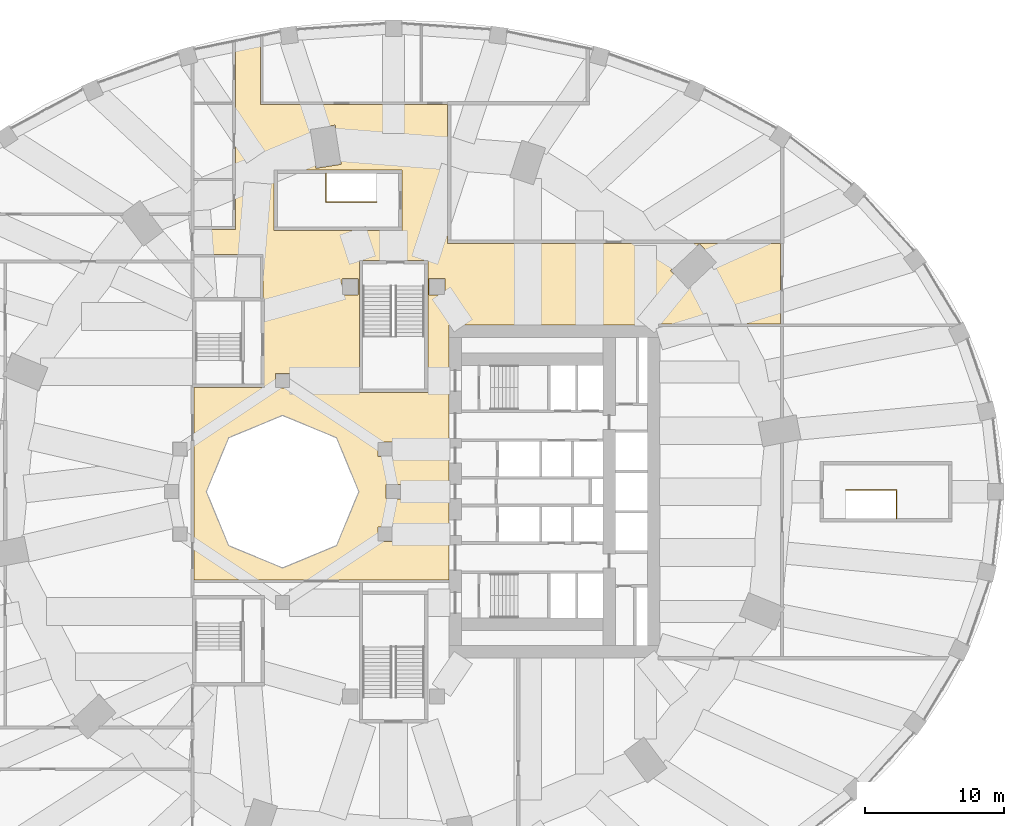
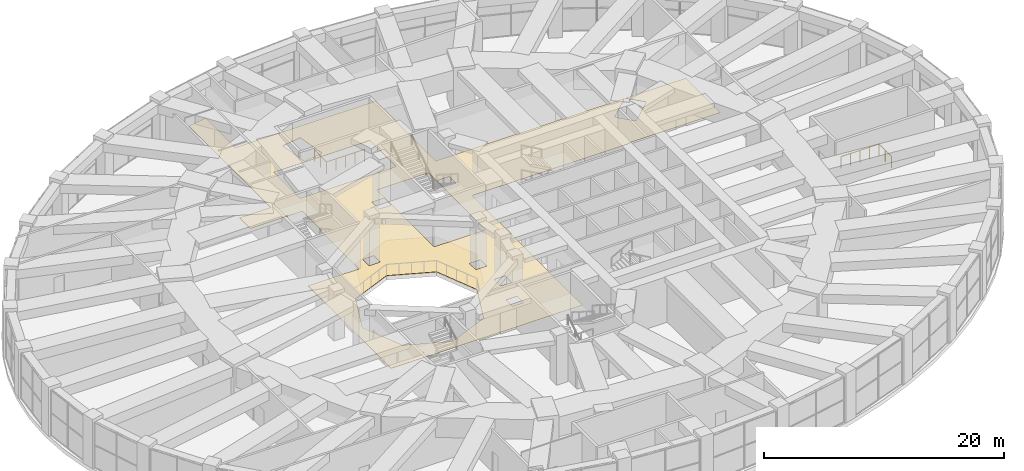
# One storey, part 30 of 30: 2 railings, 1 covering.
"""IFC4 building model written with IfcOpenShell, lengths in metres."""

from ifc_helpers import new_model, si_unit, direction, frame, origin, origin_2d, place, context, subcontext, project, spatial, polyline, circle, outline, extrude, material, layer, layer_set, type_object, element, save


model = new_model("IFC4")

# Units and contexts
model_context = context("Model", 3, precision=1e-05, world=origin(), true_north=direction((0.0, 1.0)))
body_context = subcontext(model_context, "Body", "Model", "MODEL_VIEW")
ifc_project = project(units=[si_unit("LENGTHUNIT", "METRE"), si_unit("AREAUNIT", "SQUARE_METRE"), si_unit("VOLUMEUNIT", "CUBIC_METRE"), si_unit("PLANEANGLEUNIT", "RADIAN"), si_unit("MASSUNIT", "GRAM", prefix="KILO")], contexts=[model_context])

# Site, building, storey
site_placement = place(None, origin())
site = spatial("IfcSite", under=ifc_project, at=site_placement, CompositionType="ELEMENT")
building_placement = place(site_placement, origin())
building = spatial("IfcBuilding", under=site, at=building_placement, Name="Taillehof Tower", CompositionType="ELEMENT")
storey_placement = place(building_placement, frame((0.0, 0.0, 12.5)))
storey = spatial("IfcBuildingStorey", under=building, at=storey_placement, Name="L02", CompositionType="ELEMENT", Elevation=12.5)

# Covering
ifc_material_1 = material(Name="Terrazzo floor finish")
ifc_layer = layer(ifc_material_1, 0.030029296875)
ifc_layer_set = layer_set([ifc_layer], Name="Floor finish 30 mm")
covering_type = type_object("IfcCoveringType", Name="Floor finish 30 mm", PredefinedType="FLOORING", material=ifc_layer_set)
covering_placement = place(storey_placement, origin())
element("IfcCovering", 1, at=covering_placement, inside=storey, type_object=covering_type, Name="Floor finish L02-26", PredefinedType="FLOORING", context=body_context, shape_type="SweptSolid", body=[
    extrude(outline(polyline([(4.0, -6.35009765625), (-14.39990234375, -6.35009765625), (-14.39990234375, 7.5), (-9.5, 7.5), (-9.5, 13.89990234375), (-9.39990234375, 13.89990234375), (-9.39990234375, 16.89990234375), (-9.39990234375, 17.10009765625), (-14.39990234375, 17.10009765625), (-14.39990234375, 18.89990234375), (-11.39990234375, 18.89990234375), (-11.39990234375, 19.10009765625), (-11.39990234375, 22.60009765625), (-11.39990234375, 27.89990234375), (-11.39990234375, 32.530029296875), (-11.3046875, 32.552978515625), (-9.60009765625, 32.84423828125), (-9.60009765625, 28.10009765625), (-9.60009765625, 27.89990234375), (2.10009765625, 27.89990234375), (3.875, 27.89990234375), (3.875, 27.875), (3.875, 18.125), (3.875, 17.875), (27.875, 17.875), (27.89990234375, 17.875), (27.89990234375, 12.10009765625), (19.10009765625, 12.10009765625), (19.10009765625, 12.0), (4.0, 12.0), (4.0, -6.35009765625)]), holes=[polyline([(-13.5, 0.0), (-11.88916015625, -3.88916015625), (-8.0, -5.5), (-4.11083984375, -3.88916015625), (-2.5, 0.0), (-4.11083984375, 3.88916015625), (-8.0, 5.5), (-11.88916015625, 3.88916015625), (-13.5, 0.0)]), polyline([(2.47509765625, 16.419921875), (2.47509765625, 16.669921875), (-2.22509765625, 16.669921875), (-2.47509765625, 16.669921875), (-2.47509765625, 7.39990234375), (-2.47509765625, 7.14990234375), (2.47509765625, 7.14990234375), (2.47509765625, 7.39990234375), (2.47509765625, 16.419921875)]), polyline([(-8.610107421875, 18.824951171875), (0.610107421875, 18.824951171875), (0.610107421875, 19.074951171875), (0.610107421875, 19.074951171875), (0.610107421875, 22.925048828125), (0.610107421875, 22.925048828125), (0.610107421875, 23.175048828125), (-8.360107421875, 23.175048828125), (-8.610107421875, 23.175048828125), (-8.610107421875, 19.074951171875), (-8.610107421875, 18.824951171875)]), polyline([(-1.123046875, -3.587890625), (-1.120361328125, -3.589111328125), (-1.11767578125, -3.590087890625), (-1.11474609375, -3.5908203125), (-1.11181640625, -3.59130859375), (-1.10888671875, -3.591552734375), (-0.10888671875, -3.591552734375), (-0.10595703125, -3.59130859375), (-0.10302734375, -3.5908203125), (-0.100341796875, -3.590087890625), (-0.097412109375, -3.589111328125), (-0.0947265625, -3.587890625), (-0.09228515625, -3.58642578125), (-0.08984375, -3.584716796875), (-0.087646484375, -3.582763671875), (-0.085693359375, -3.58056640625), (-0.083984375, -3.578125), (-0.08251953125, -3.57568359375), (-0.081298828125, -3.572998046875), (-0.080322265625, -3.570068359375), (-0.07958984375, -3.5673828125), (-0.0791015625, -3.564453125), (-0.078857421875, -3.5615234375), (-0.078857421875, -2.5615234375), (-0.0791015625, -2.55859375), (-0.07958984375, -2.5556640625), (-0.080322265625, -2.552734375), (-0.081298828125, -2.550048828125), (-0.08251953125, -2.54736328125), (-0.083984375, -2.544921875), (-0.085693359375, -2.54248046875), (-0.087646484375, -2.540283203125), (-0.08984375, -2.538330078125), (-0.09228515625, -2.53662109375), (-0.0947265625, -2.534912109375), (-0.097412109375, -2.53369140625), (-0.100341796875, -2.53271484375), (-0.10302734375, -2.531982421875), (-0.10595703125, -2.531494140625), (-0.10888671875, -2.531494140625), (-1.10888671875, -2.531494140625), (-1.11181640625, -2.531494140625), (-1.11474609375, -2.531982421875), (-1.11767578125, -2.53271484375), (-1.120361328125, -2.53369140625), (-1.123046875, -2.534912109375), (-1.125732421875, -2.53662109375), (-1.1279296875, -2.538330078125), (-1.130126953125, -2.540283203125), (-1.132080078125, -2.54248046875), (-1.1337890625, -2.544921875), (-1.135498046875, -2.54736328125), (-1.13671875, -2.550048828125), (-1.1376953125, -2.552734375), (-1.138427734375, -2.5556640625), (-1.138916015625, -2.55859375), (-1.138916015625, -2.5615234375), (-1.138916015625, -3.5615234375), (-1.138916015625, -3.564453125), (-1.138427734375, -3.5673828125), (-1.1376953125, -3.570068359375), (-1.13671875, -3.572998046875), (-1.135498046875, -3.57568359375), (-1.1337890625, -3.578125), (-1.132080078125, -3.58056640625), (-1.130126953125, -3.582763671875), (-1.1279296875, -3.584716796875), (-1.125732421875, -3.58642578125), (-1.123046875, -3.587890625)]), polyline([(-0.511474609375, -0.52783203125), (-0.5087890625, -0.52880859375), (-0.505859375, -0.529541015625), (-0.5029296875, -0.52978515625), (-0.5, -0.530029296875), (0.5, -0.530029296875), (0.5029296875, -0.52978515625), (0.505859375, -0.529541015625), (0.5087890625, -0.52880859375), (0.511474609375, -0.52783203125), (0.51416015625, -0.5263671875), (0.5166015625, -0.52490234375), (0.51904296875, -0.523193359375), (0.521240234375, -0.521240234375), (0.523193359375, -0.51904296875), (0.52490234375, -0.5166015625), (0.5263671875, -0.51416015625), (0.52783203125, -0.511474609375), (0.52880859375, -0.5087890625), (0.529541015625, -0.505859375), (0.52978515625, -0.5029296875), (0.530029296875, -0.5), (0.530029296875, 0.5), (0.52978515625, 0.5029296875), (0.529541015625, 0.505859375), (0.52880859375, 0.5087890625), (0.52783203125, 0.511474609375), (0.5263671875, 0.51416015625), (0.52490234375, 0.5166015625), (0.523193359375, 0.51904296875), (0.521240234375, 0.521240234375), (0.51904296875, 0.523193359375), (0.5166015625, 0.52490234375), (0.51416015625, 0.5263671875), (0.511474609375, 0.52783203125), (0.5087890625, 0.52880859375), (0.505859375, 0.529541015625), (0.5029296875, 0.52978515625), (0.5, 0.530029296875), (-0.5, 0.530029296875), (-0.5029296875, 0.52978515625), (-0.505859375, 0.529541015625), (-0.5087890625, 0.52880859375), (-0.511474609375, 0.52783203125), (-0.51416015625, 0.5263671875), (-0.5166015625, 0.52490234375), (-0.51904296875, 0.523193359375), (-0.521240234375, 0.521240234375), (-0.523193359375, 0.51904296875), (-0.52490234375, 0.5166015625), (-0.5263671875, 0.51416015625), (-0.52783203125, 0.511474609375), (-0.52880859375, 0.5087890625), (-0.529541015625, 0.505859375), (-0.52978515625, 0.5029296875), (-0.530029296875, 0.5), (-0.530029296875, -0.5), (-0.52978515625, -0.5029296875), (-0.529541015625, -0.505859375), (-0.52880859375, -0.5087890625), (-0.52783203125, -0.511474609375), (-0.5263671875, -0.51416015625), (-0.52490234375, -0.5166015625), (-0.523193359375, -0.51904296875), (-0.521240234375, -0.521240234375), (-0.51904296875, -0.523193359375), (-0.5166015625, -0.52490234375), (-0.51416015625, -0.5263671875), (-0.511474609375, -0.52783203125)]), polyline([(-1.120361328125, 2.53369140625), (-1.11767578125, 2.53271484375), (-1.11474609375, 2.531982421875), (-1.11181640625, 2.531494140625), (-1.10888671875, 2.531494140625), (-0.10888671875, 2.531494140625), (-0.10595703125, 2.531494140625), (-0.10302734375, 2.531982421875), (-0.100341796875, 2.53271484375), (-0.097412109375, 2.53369140625), (-0.0947265625, 2.534912109375), (-0.09228515625, 2.53662109375), (-0.08984375, 2.538330078125), (-0.087646484375, 2.540283203125), (-0.085693359375, 2.54248046875), (-0.083984375, 2.544921875), (-0.08251953125, 2.54736328125), (-0.081298828125, 2.550048828125), (-0.080322265625, 2.552734375), (-0.07958984375, 2.5556640625), (-0.0791015625, 2.55859375), (-0.078857421875, 2.5615234375), (-0.078857421875, 3.5615234375), (-0.0791015625, 3.564453125), (-0.07958984375, 3.5673828125), (-0.080322265625, 3.570068359375), (-0.081298828125, 3.572998046875), (-0.08251953125, 3.57568359375), (-0.083984375, 3.578125), (-0.085693359375, 3.58056640625), (-0.087646484375, 3.582763671875), (-0.08984375, 3.584716796875), (-0.09228515625, 3.58642578125), (-0.0947265625, 3.587890625), (-0.097412109375, 3.589111328125), (-0.100341796875, 3.590087890625), (-0.10302734375, 3.5908203125), (-0.10595703125, 3.59130859375), (-0.10888671875, 3.591552734375), (-1.10888671875, 3.591552734375), (-1.11181640625, 3.59130859375), (-1.11474609375, 3.5908203125), (-1.11767578125, 3.590087890625), (-1.120361328125, 3.589111328125), (-1.123046875, 3.587890625), (-1.125732421875, 3.58642578125), (-1.1279296875, 3.584716796875), (-1.130126953125, 3.582763671875), (-1.132080078125, 3.58056640625), (-1.1337890625, 3.578125), (-1.135498046875, 3.57568359375), (-1.13671875, 3.572998046875), (-1.1376953125, 3.570068359375), (-1.138427734375, 3.5673828125), (-1.138916015625, 3.564453125), (-1.138916015625, 3.5615234375), (-1.138916015625, 2.5615234375), (-1.138916015625, 2.55859375), (-1.138427734375, 2.5556640625), (-1.1376953125, 2.552734375), (-1.13671875, 2.550048828125), (-1.135498046875, 2.54736328125), (-1.1337890625, 2.544921875), (-1.132080078125, 2.54248046875), (-1.130126953125, 2.540283203125), (-1.1279296875, 2.538330078125), (-1.125732421875, 2.53662109375), (-1.123046875, 2.534912109375), (-1.120361328125, 2.53369140625)]), polyline([(-8.511474609375, 7.47216796875), (-8.5087890625, 7.47119140625), (-8.505859375, 7.470458984375), (-8.5029296875, 7.47021484375), (-8.5, 7.469970703125), (-7.5, 7.469970703125), (-7.4970703125, 7.47021484375), (-7.494140625, 7.470458984375), (-7.4912109375, 7.47119140625), (-7.488525390625, 7.47216796875), (-7.48583984375, 7.4736328125), (-7.4833984375, 7.47509765625), (-7.48095703125, 7.476806640625), (-7.478759765625, 7.478759765625), (-7.476806640625, 7.48095703125), (-7.47509765625, 7.4833984375), (-7.4736328125, 7.48583984375), (-7.47216796875, 7.488525390625), (-7.47119140625, 7.4912109375), (-7.470458984375, 7.494140625), (-7.47021484375, 7.4970703125), (-7.469970703125, 7.5), (-7.469970703125, 8.5), (-7.47021484375, 8.5029296875), (-7.470458984375, 8.505859375), (-7.47119140625, 8.5087890625), (-7.47216796875, 8.511474609375), (-7.4736328125, 8.51416015625), (-7.47509765625, 8.5166015625), (-7.476806640625, 8.51904296875), (-7.478759765625, 8.521240234375), (-7.48095703125, 8.523193359375), (-7.4833984375, 8.52490234375), (-7.48583984375, 8.5263671875), (-7.488525390625, 8.52783203125), (-7.4912109375, 8.52880859375), (-7.494140625, 8.529541015625), (-7.4970703125, 8.52978515625), (-7.5, 8.530029296875), (-8.5, 8.530029296875), (-8.5029296875, 8.52978515625), (-8.505859375, 8.529541015625), (-8.5087890625, 8.52880859375), (-8.511474609375, 8.52783203125), (-8.51416015625, 8.5263671875), (-8.5166015625, 8.52490234375), (-8.51904296875, 8.523193359375), (-8.521240234375, 8.521240234375), (-8.523193359375, 8.51904296875), (-8.52490234375, 8.5166015625), (-8.5263671875, 8.51416015625), (-8.52783203125, 8.511474609375), (-8.52880859375, 8.5087890625), (-8.529541015625, 8.505859375), (-8.52978515625, 8.5029296875), (-8.530029296875, 8.5), (-8.530029296875, 7.5), (-8.52978515625, 7.4970703125), (-8.529541015625, 7.494140625), (-8.52880859375, 7.4912109375), (-8.52783203125, 7.488525390625), (-8.5263671875, 7.48583984375), (-8.52490234375, 7.4833984375), (-8.523193359375, 7.48095703125), (-8.521240234375, 7.478759765625), (-8.51904296875, 7.476806640625), (-8.5166015625, 7.47509765625), (-8.51416015625, 7.4736328125), (-8.511474609375, 7.47216796875)]), polyline([(-3.687255859375, 14.1943359375), (-3.684326171875, 14.193359375), (-3.681640625, 14.192626953125), (-3.6787109375, 14.1923828125), (-3.67578125, 14.192138671875), (-2.57568359375, 14.192138671875), (-2.57275390625, 14.1923828125), (-2.56982421875, 14.192626953125), (-2.56689453125, 14.193359375), (-2.564208984375, 14.1943359375), (-2.5615234375, 14.195556640625), (-2.55908203125, 14.197265625), (-2.556640625, 14.198974609375), (-2.554443359375, 14.200927734375), (-2.552490234375, 14.203125), (-2.55078125, 14.20556640625), (-2.54931640625, 14.2080078125), (-2.5478515625, 14.210693359375), (-2.546875, 14.21337890625), (-2.546142578125, 14.21630859375), (-2.5458984375, 14.21923828125), (-2.545654296875, 14.22216796875), (-2.545654296875, 15.322021484375), (-2.5458984375, 15.324951171875), (-2.546142578125, 15.327880859375), (-2.546875, 15.330810546875), (-2.5478515625, 15.33349609375), (-2.54931640625, 15.336181640625), (-2.55078125, 15.3388671875), (-2.552490234375, 15.341064453125), (-2.554443359375, 15.34326171875), (-2.556640625, 15.34521484375), (-2.55908203125, 15.34716796875), (-2.5615234375, 15.3486328125), (-2.564208984375, 15.349853515625), (-2.56689453125, 15.350830078125), (-2.56982421875, 15.3515625), (-2.57275390625, 15.35205078125), (-2.57568359375, 15.35205078125), (-3.67578125, 15.35205078125), (-3.6787109375, 15.35205078125), (-3.681640625, 15.3515625), (-3.684326171875, 15.350830078125), (-3.687255859375, 15.349853515625), (-3.689697265625, 15.3486328125), (-3.6923828125, 15.34716796875), (-3.694580078125, 15.34521484375), (-3.69677734375, 15.34326171875), (-3.698974609375, 15.341064453125), (-3.70068359375, 15.3388671875), (-3.7021484375, 15.336181640625), (-3.703369140625, 15.33349609375), (-3.704345703125, 15.330810546875), (-3.705078125, 15.327880859375), (-3.70556640625, 15.324951171875), (-3.70556640625, 15.322021484375), (-3.70556640625, 14.22216796875), (-3.70556640625, 14.21923828125), (-3.705078125, 14.21630859375), (-3.704345703125, 14.21337890625), (-3.703369140625, 14.210693359375), (-3.7021484375, 14.2080078125), (-3.70068359375, 14.20556640625), (-3.698974609375, 14.203125), (-3.69677734375, 14.200927734375), (-3.694580078125, 14.198974609375), (-3.6923828125, 14.197265625), (-3.689697265625, 14.195556640625), (-3.687255859375, 14.1943359375)]), polyline([(2.564208984375, 14.1943359375), (2.56689453125, 14.193359375), (2.56982421875, 14.192626953125), (2.57275390625, 14.1923828125), (2.57568359375, 14.192138671875), (3.67578125, 14.192138671875), (3.6787109375, 14.1923828125), (3.681640625, 14.192626953125), (3.684326171875, 14.193359375), (3.687255859375, 14.1943359375), (3.689697265625, 14.195556640625), (3.6923828125, 14.197265625), (3.694580078125, 14.198974609375), (3.69677734375, 14.200927734375), (3.698974609375, 14.203125), (3.70068359375, 14.20556640625), (3.7021484375, 14.2080078125), (3.703369140625, 14.210693359375), (3.704345703125, 14.21337890625), (3.705078125, 14.21630859375), (3.70556640625, 14.21923828125), (3.70556640625, 14.22216796875), (3.70556640625, 15.322021484375), (3.70556640625, 15.324951171875), (3.705078125, 15.327880859375), (3.704345703125, 15.330810546875), (3.703369140625, 15.33349609375), (3.7021484375, 15.336181640625), (3.70068359375, 15.3388671875), (3.698974609375, 15.341064453125), (3.69677734375, 15.34326171875), (3.694580078125, 15.34521484375), (3.6923828125, 15.34716796875), (3.689697265625, 15.3486328125), (3.687255859375, 15.349853515625), (3.684326171875, 15.350830078125), (3.681640625, 15.3515625), (3.6787109375, 15.35205078125), (3.67578125, 15.35205078125), (2.57568359375, 15.35205078125), (2.57275390625, 15.35205078125), (2.56982421875, 15.3515625), (2.56689453125, 15.350830078125), (2.564208984375, 15.349853515625), (2.5615234375, 15.3486328125), (2.55908203125, 15.34716796875), (2.556640625, 15.34521484375), (2.554443359375, 15.34326171875), (2.552490234375, 15.341064453125), (2.55078125, 15.3388671875), (2.54931640625, 15.336181640625), (2.5478515625, 15.33349609375), (2.546875, 15.330810546875), (2.546142578125, 15.327880859375), (2.5458984375, 15.324951171875), (2.545654296875, 15.322021484375), (2.545654296875, 14.22216796875), (2.5458984375, 14.21923828125), (2.546142578125, 14.21630859375), (2.546875, 14.21337890625), (2.5478515625, 14.210693359375), (2.54931640625, 14.2080078125), (2.55078125, 14.20556640625), (2.552490234375, 14.203125), (2.554443359375, 14.200927734375), (2.556640625, 14.198974609375), (2.55908203125, 14.197265625), (2.5615234375, 14.195556640625), (2.564208984375, 14.1943359375)]), polyline([(-3.768798828125, 23.6171875), (-3.768310546875, 23.619873046875), (-3.76806640625, 23.622802734375), (-3.76806640625, 23.6259765625), (-3.768310546875, 23.62890625), (-4.20556640625, 26.39453125), (-4.2060546875, 26.397216796875), (-4.20703125, 26.400146484375), (-4.208251953125, 26.40283203125), (-4.209716796875, 26.405517578125), (-4.211181640625, 26.407958984375), (-4.213134765625, 26.41015625), (-4.21533203125, 26.412109375), (-4.217529296875, 26.4140625), (-4.219970703125, 26.41552734375), (-4.22265625, 26.4169921875), (-4.225341796875, 26.418212890625), (-4.228271484375, 26.4189453125), (-4.231201171875, 26.41943359375), (-4.234130859375, 26.419677734375), (-4.237060546875, 26.419677734375), (-4.239990234375, 26.41943359375), (-6.017822265625, 26.138427734375), (-6.020751953125, 26.1376953125), (-6.0234375, 26.13671875), (-6.026123046875, 26.1357421875), (-6.02880859375, 26.13427734375), (-6.03125, 26.132568359375), (-6.033447265625, 26.130615234375), (-6.03564453125, 26.128662109375), (-6.037353515625, 26.126220703125), (-6.0390625, 26.123779296875), (-6.040283203125, 26.121337890625), (-6.04150390625, 26.118408203125), (-6.042236328125, 26.11572265625), (-6.042724609375, 26.11279296875), (-6.043212890625, 26.10986328125), (-6.04296875, 26.10693359375), (-6.042724609375, 26.10400390625), (-5.60546875, 23.33837890625), (-5.60498046875, 23.33544921875), (-5.60400390625, 23.332763671875), (-5.60302734375, 23.329833984375), (-5.6015625, 23.327392578125), (-5.599853515625, 23.324951171875), (-5.597900390625, 23.32275390625), (-5.595947265625, 23.320556640625), (-5.593505859375, 23.31884765625), (-5.591064453125, 23.317138671875), (-5.58837890625, 23.315673828125), (-5.585693359375, 23.314697265625), (-5.5830078125, 23.31396484375), (-5.580078125, 23.313232421875), (-5.5771484375, 23.31298828125), (-5.57421875, 23.31298828125), (-5.5712890625, 23.3134765625), (-3.793212890625, 23.594482421875), (-3.79052734375, 23.594970703125), (-3.78759765625, 23.595947265625), (-3.784912109375, 23.59716796875), (-3.7822265625, 23.5986328125), (-3.77978515625, 23.60009765625), (-3.777587890625, 23.60205078125), (-3.775634765625, 23.604248046875), (-3.773681640625, 23.6064453125), (-3.772216796875, 23.60888671875), (-3.770751953125, 23.611572265625), (-3.76953125, 23.6142578125), (-3.768798828125, 23.6171875)]), polyline([(21.244140625, 14.588623046875), (21.246826171875, 14.589599609375), (21.24951171875, 14.591064453125), (21.251953125, 14.5927734375), (21.254150390625, 14.5947265625), (23.29833984375, 16.508056640625), (23.300537109375, 16.51025390625), (23.30224609375, 16.512451171875), (23.303955078125, 16.514892578125), (23.30517578125, 16.517578125), (23.306396484375, 16.520263671875), (23.30712890625, 16.523193359375), (23.3076171875, 16.526123046875), (23.307861328125, 16.529052734375), (23.307861328125, 16.531982421875), (23.3076171875, 16.534912109375), (23.306884765625, 16.53759765625), (23.305908203125, 16.54052734375), (23.304931640625, 16.543212890625), (23.303466796875, 16.545654296875), (23.3017578125, 16.548095703125), (23.2998046875, 16.550537109375), (22.06982421875, 17.86474609375), (22.067626953125, 17.86669921875), (22.0654296875, 17.868408203125), (22.06298828125, 17.8701171875), (22.060302734375, 17.87158203125), (22.0576171875, 17.87255859375), (22.0546875, 17.873291015625), (22.0517578125, 17.873779296875), (22.048828125, 17.8740234375), (22.0458984375, 17.8740234375), (22.04296875, 17.873779296875), (22.040283203125, 17.873046875), (22.037353515625, 17.872314453125), (22.03466796875, 17.87109375), (22.031982421875, 17.86962890625), (22.02978515625, 17.867919921875), (22.02734375, 17.865966796875), (19.983154296875, 15.95263671875), (19.98095703125, 15.95068359375), (19.979248046875, 15.9482421875), (19.9775390625, 15.94580078125), (19.976318359375, 15.943115234375), (19.97509765625, 15.9404296875), (19.974365234375, 15.937744140625), (19.973876953125, 15.934814453125), (19.9736328125, 15.931884765625), (19.9736328125, 15.928955078125), (19.97412109375, 15.926025390625), (19.974609375, 15.923095703125), (19.9755859375, 15.920166015625), (19.976806640625, 15.91748046875), (19.97802734375, 15.9150390625), (19.979736328125, 15.91259765625), (19.981689453125, 15.910400390625), (21.211669921875, 14.59619140625), (21.2138671875, 14.593994140625), (21.216064453125, 14.59228515625), (21.218505859375, 14.590576171875), (21.22119140625, 14.58935546875), (21.223876953125, 14.588134765625), (21.226806640625, 14.58740234375), (21.229736328125, 14.5869140625), (21.232666015625, 14.586669921875), (21.235595703125, 14.586669921875), (21.238525390625, 14.5869140625), (21.241455078125, 14.587646484375), (21.244140625, 14.588623046875)])]), origin(), (0.0, 0.0, 1.0), 0.030029296875),
])

# Railings
ifc_material_2 = material(Name="Stainless steel and laminated glass", Category="steel")
railing_type = type_object("IfcRailingType", Name="Guard 1200 mm", PredefinedType="GUARDRAIL", material=ifc_material_2)
railing_1_placement = place(storey_placement, frame((-1.239990234375, 20.875, 0.0)))
element("IfcRailing", 2, at=railing_1_placement, inside=storey, type_object=railing_type, Name="Guard P3", PredefinedType="GUARDRAIL", context=body_context, shape_type="SweptSolid", body=[
    extrude(circle(Radius=0.02392578125, at=origin_2d()), frame((0.0, 0.0, 1.17578125), z_axis=(-1.0, 0.0, 0.0), x_axis=(0.0, -1.0, 0.0)), (0.0, 0.0, 1.0), 3.639892578125),
    extrude(circle(Radius=0.02392578125, at=origin_2d()), frame((-3.639892578125, 0.0, 1.17578125), z_axis=(0.0, 1.0, 0.0), x_axis=(-1.0, 0.0, 0.0)), (0.0, 0.0, 1.0), 2.050048828125),
    extrude(circle(Radius=0.02099609375, at=origin_2d()), origin(), (0.0, 0.0, 1.0), 1.15185546875),
    extrude(circle(Radius=0.02099609375, at=origin_2d()), frame((-0.909912109375, 0.0, 0.0)), (0.0, 0.0, 1.0), 1.15185546875),
    extrude(circle(Radius=0.02099609375, at=origin_2d()), frame((-1.81982421875, 0.0, 0.0)), (0.0, 0.0, 1.0), 1.15185546875),
    extrude(circle(Radius=0.02099609375, at=origin_2d()), frame((-2.72998046875, 0.0, 0.0)), (0.0, 0.0, 1.0), 1.15185546875),
    extrude(circle(Radius=0.02099609375, at=origin_2d()), frame((-3.639892578125, 0.0, 0.0)), (0.0, 0.0, 1.0), 1.15185546875),
    extrude(circle(Radius=0.02099609375, at=origin_2d()), frame((-3.639892578125, 1.02490234375, 0.0)), (0.0, 0.0, 1.0), 1.15185546875),
    extrude(circle(Radius=0.02099609375, at=origin_2d()), frame((-3.639892578125, 2.050048828125, 0.0)), (0.0, 0.0, 1.0), 1.15185546875),
])
railing_2_placement = place(storey_placement, frame((32.60009765625, 0.125, 0.0)))
element("IfcRailing", 3, at=railing_2_placement, inside=storey, type_object=railing_type, Name="Guard P5", PredefinedType="GUARDRAIL", context=body_context, shape_type="SweptSolid", body=[
    extrude(circle(Radius=0.02392578125, at=origin_2d()), frame((0.0, 0.0, 1.17578125), z_axis=(1.0, 0.0, 0.0), x_axis=(0.0, 1.0, 0.0)), (0.0, 0.0, 1.0), 3.639892578125),
    extrude(circle(Radius=0.02392578125, at=origin_2d()), frame((3.639892578125, 0.0, 1.17578125), z_axis=(0.0, -1.0, 0.0), x_axis=(1.0, 0.0, 0.0)), (0.0, 0.0, 1.0), 2.050048828125),
    extrude(circle(Radius=0.02099609375, at=origin_2d()), origin(), (0.0, 0.0, 1.0), 1.15185546875),
    extrude(circle(Radius=0.02099609375, at=origin_2d()), frame((0.909912109375, 0.0, 0.0)), (0.0, 0.0, 1.0), 1.15185546875),
    extrude(circle(Radius=0.02099609375, at=origin_2d()), frame((1.81982421875, 0.0, 0.0)), (0.0, 0.0, 1.0), 1.15185546875),
    extrude(circle(Radius=0.02099609375, at=origin_2d()), frame((2.72998046875, 0.0, 0.0)), (0.0, 0.0, 1.0), 1.15185546875),
    extrude(circle(Radius=0.02099609375, at=origin_2d()), frame((3.639892578125, 0.0, 0.0)), (0.0, 0.0, 1.0), 1.15185546875),
    extrude(circle(Radius=0.02099609375, at=origin_2d()), frame((3.639892578125, -1.02490234375, 0.0)), (0.0, 0.0, 1.0), 1.15185546875),
    extrude(circle(Radius=0.02099609375, at=origin_2d()), frame((3.639892578125, -2.050048828125, 0.0)), (0.0, 0.0, 1.0), 1.15185546875),
])

save(model, "model.ifc")
